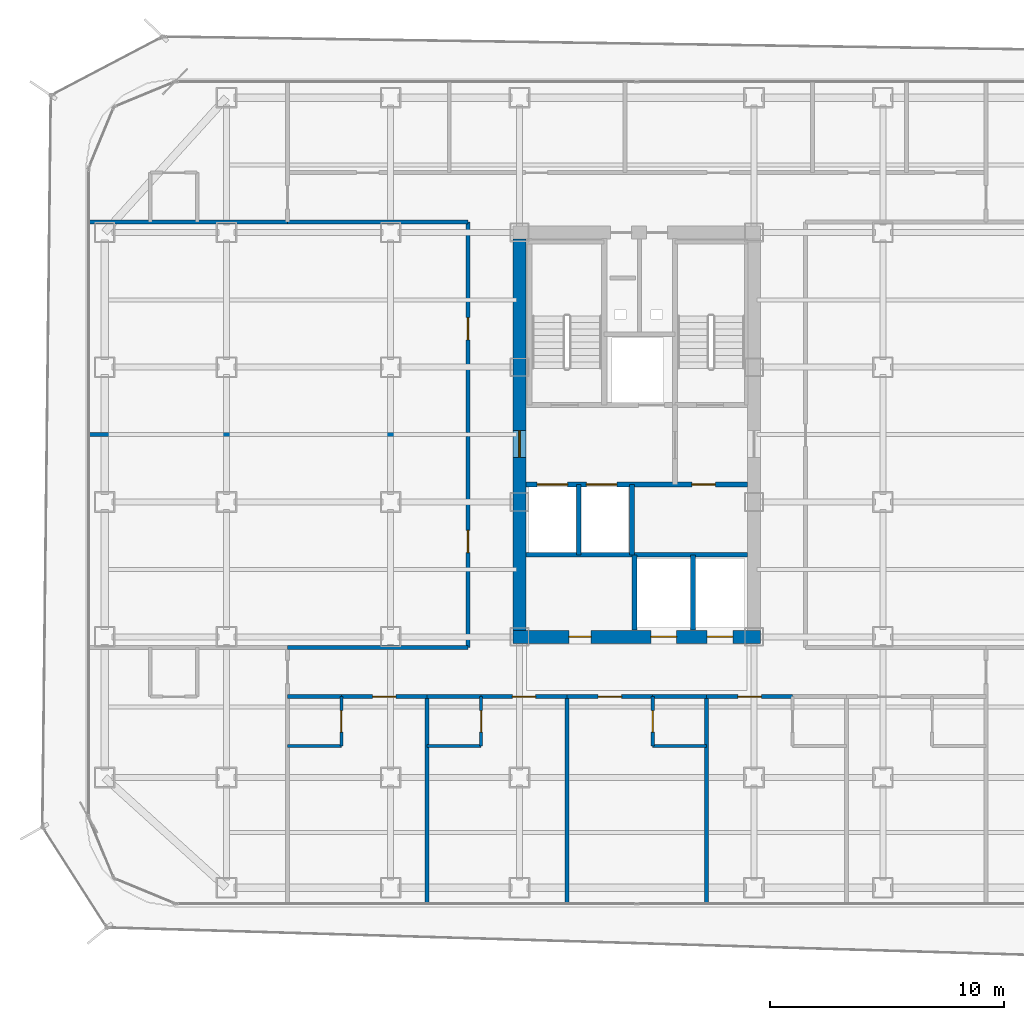
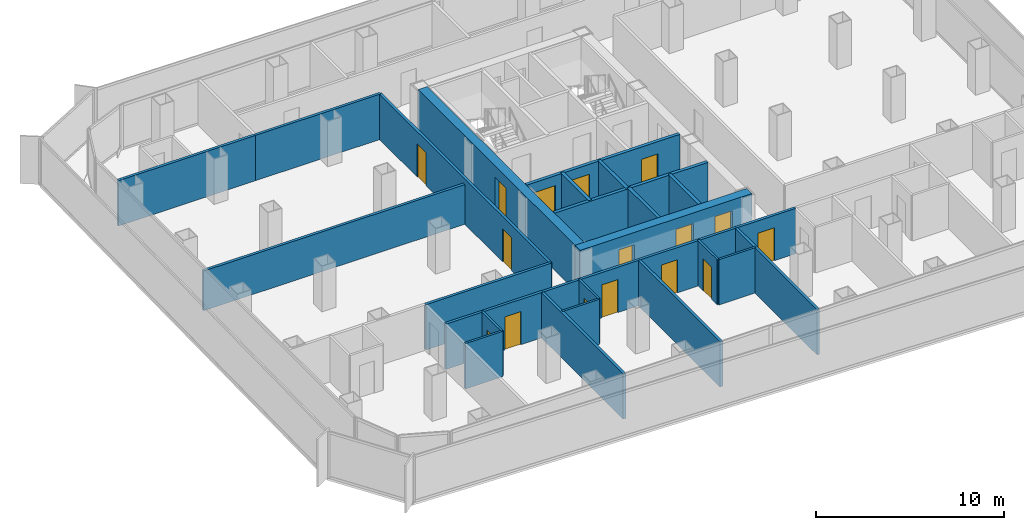
# One storey, part 16 of 21: 29 walls, 16 doors, 16 openings.
"""IFC4 building model written with IfcOpenShell, lengths in metres."""

import ifcopenshell
import ifcopenshell.guid

model = None  # the IFC model being written
_history = None  # IfcOwnerHistory: only IFC2X3 demands one
_inside = {}  # id of a spatial element -> (the spatial element, [elements in it])
_under = {}  # id of a project, library or spatial element -> (it, [spatial elements below it])
_declared = {}  # id of a project -> (the project, [libraries it declares])
_typed = {}  # id of a type object -> (the type object, [elements of that type])
_made_of = {}  # id of a material, layer set ... -> (it, [elements and type objects made of it])


def new_model(schema):
    """Start an empty IFC model of exactly this schema.

    Asked for "IFC4X3", IfcOpenShell would pick the latest addendum, in which some entities
    have other attributes; the version numbers below select the first issue.
    IFC2X3 requires an IfcOwnerHistory on every rooted entity: one is made here for all.
    """
    global model, _history
    if schema == "IFC4X3":
        model = ifcopenshell.file(schema_version=(4, 3, 0, 0))
    else:
        model = ifcopenshell.file(schema=schema)
    _inside.clear()
    _under.clear()
    _declared.clear()
    _typed.clear()
    _made_of.clear()
    _history = None
    if model.schema == "IFC2X3":
        org = make("IfcOrganization", Name="unknown")
        user = make(
            "IfcPersonAndOrganization",
            ThePerson=make("IfcPerson", FamilyName="unknown"),
            TheOrganization=org,
        )
        app = make(
            "IfcApplication",
            ApplicationDeveloper=org,
            Version="unknown",
            ApplicationFullName="unknown",
            ApplicationIdentifier="unknown",
        )
        _history = make(
            "IfcOwnerHistory",
            OwningUser=user,
            OwningApplication=app,
            ChangeAction="ADDED",
            CreationDate=0,
        )
    return model


def make(cls, **values):
    """One entity of the class cls with the attributes given. An attribute that is None is left unset."""
    return model.create_entity(
        cls, **{name: value for name, value in values.items() if value is not None}
    )


def rooted(cls, **values):
    """An entity with a GlobalId (a new one), such as an element, a storey or a relation."""
    return make(cls, GlobalId=ifcopenshell.guid.new(), OwnerHistory=_history, **values)


def si_unit(unit_type, name, prefix=None):
    """IfcSIUnit, for example si_unit("LENGTHUNIT", "METRE", prefix="MILLI")."""
    return make("IfcSIUnit", UnitType=unit_type, Prefix=prefix, Name=name)


def assignment(units):
    """IfcUnitAssignment: the units of a project."""
    return None if units is None else make("IfcUnitAssignment", Units=units)


def point(xyz):
    """IfcCartesianPoint."""
    return None if xyz is None else make("IfcCartesianPoint", Coordinates=xyz)


def direction(xyz):
    """IfcDirection."""
    return None if xyz is None else make("IfcDirection", DirectionRatios=xyz)


def frame(location, z_axis=None, x_axis=None):
    """IfcAxis2Placement3D, a coordinate frame: its origin and axes. An axis left out is left unset."""
    return make(
        "IfcAxis2Placement3D",
        Location=point(location),
        Axis=direction(z_axis),
        RefDirection=direction(x_axis),
    )


def frame_2d(location, x_axis=None):
    """IfcAxis2Placement2D, a coordinate frame in the plane: its origin and x axis."""
    return make(
        "IfcAxis2Placement2D", Location=point(location), RefDirection=direction(x_axis)
    )


def origin():
    """The frame at (0, 0, 0) with its axes left unset."""
    return frame((0.0, 0.0, 0.0))


def place(relative_to, where):
    """IfcLocalPlacement: puts the frame where relative to a parent placement (None: the world)."""
    return make(
        "IfcLocalPlacement", PlacementRelTo=relative_to, RelativePlacement=where
    )


def context(
    kind, dimensions, precision=None, world=None, true_north=None, identifier=None
):
    """IfcGeometricRepresentationContext, for example the 3D "Model" context."""
    return make(
        "IfcGeometricRepresentationContext",
        ContextIdentifier=identifier,
        ContextType=kind,
        CoordinateSpaceDimension=dimensions,
        Precision=precision,
        WorldCoordinateSystem=world,
        TrueNorth=true_north,
    )


def subcontext(parent, identifier, kind, view, scale=None):
    """IfcGeometricRepresentationSubContext, for example "Body" below "Model"."""
    return make(
        "IfcGeometricRepresentationSubContext",
        ContextIdentifier=identifier,
        ContextType=kind,
        ParentContext=parent,
        TargetScale=scale,
        TargetView=view,
    )


def project(units=None, contexts=None):
    """IfcProject with its units and contexts."""
    return rooted(
        "IfcProject",
        Name="project",
        RepresentationContexts=contexts,
        UnitsInContext=assignment(units),
    )


def spatial(cls, under=None, at=None, **own):
    """A site, building, storey or space (cls), placed at a placement, below another one or the project."""
    s = rooted(cls, ObjectPlacement=at, **own)
    if under is not None:
        _under.setdefault(under.id(), (under, []))[1].append(s)
    return s


def profile(cls, at=None, kind="AREA", **sizes):
    """A parametric profile (cls). Its sizes go by their IFC names, for example OverallWidth=200.0."""
    return make(cls, ProfileType=kind, Position=at, **sizes)


def rectangle(**sizes):
    """IfcRectangleProfileDef."""
    return profile("IfcRectangleProfileDef", **sizes)


def extrude(swept, where, along, depth):
    """IfcExtrudedAreaSolid: the profile swept, set in the frame where, extruded along a direction by depth."""
    return make(
        "IfcExtrudedAreaSolid",
        SweptArea=swept,
        Position=where,
        ExtrudedDirection=direction(along),
        Depth=depth,
    )


def shape(context_of_items, identifier, shape_type, items):
    """IfcShapeRepresentation: the items that make up one representation, for example the "Body"."""
    return make(
        "IfcShapeRepresentation",
        ContextOfItems=context_of_items,
        RepresentationIdentifier=identifier,
        RepresentationType=shape_type,
        Items=items,
    )


def material(Name=None, Category=None):
    """IfcMaterial."""
    return make("IfcMaterial", Name=Name, Category=Category)


def layer(
    of_material, thickness, ventilated=None, Name=None, Category=None, Priority=None
):
    """IfcMaterialLayer: one layer of a wall or slab, of a material (None: an air gap)."""
    return make(
        "IfcMaterialLayer",
        Material=of_material,
        LayerThickness=thickness,
        IsVentilated=ventilated,
        Name=Name,
        Category=Category,
        Priority=Priority,
    )


def layer_set(layers, Name=None):
    """IfcMaterialLayerSet."""
    return make("IfcMaterialLayerSet", MaterialLayers=layers, LayerSetName=Name)


def made_of(thing, what):
    """Note that an element or type object is made of a material, layer set ...; save() writes the relation."""
    if what is not None:
        _made_of.setdefault(what.id(), (what, []))[1].append(thing)
    return thing


def type_object(cls, material=None, **own):
    """A type object (cls), such as IfcWallType, which elements share."""
    return made_of(rooted(cls, **own), material)


def element(
    cls,
    number,
    at=None,
    inside=None,
    cuts=None,
    type_object=None,
    material=None,
    context=None,
    identifier="Body",
    shape_type=None,
    held_by="IfcProductDefinitionShape",
    body=None,
    shapes=None,
    **own,
):
    """One element of the class cls, such as IfcWall. Its Tag is "e" and its number.

    at: its placement. inside: the storey or other place that contains it. cuts: it is an
    opening in that element (IfcRelVoidsElement). A single representation is given by context,
    identifier, shape_type and body (its items); several are given by shapes. held_by: the class
    of the entity that holds the representations. save() writes the other relations.
    """
    e = rooted(cls, Tag="e%d" % number, ObjectPlacement=at, **own)
    if body is not None:
        shapes = [shape(context, identifier, shape_type, body)]
    if shapes is not None:
        e.Representation = make(held_by, Representations=shapes)
    if inside is not None:
        _inside.setdefault(inside.id(), (inside, []))[1].append(e)
    if cuts is not None:
        rooted(
            "IfcRelVoidsElement", RelatingBuildingElement=cuts, RelatedOpeningElement=e
        )
    if type_object is not None:
        _typed.setdefault(type_object.id(), (type_object, []))[1].append(e)
    return made_of(e, material)


def fill(opening, filler):
    """IfcRelFillsElement: the door or window that sits in an opening."""
    return rooted(
        "IfcRelFillsElement",
        RelatingOpeningElement=opening,
        RelatedBuildingElement=filler,
    )


def aggregate(whole, parts):
    """IfcRelAggregates: a whole, such as a stair, and the parts it consists of."""
    return rooted("IfcRelAggregates", RelatingObject=whole, RelatedObjects=parts)


def save(model, path):
    """Write the relations noted so far, then the file.

    IfcRelAggregates (storeys below a building ...), IfcRelContainedInSpatialStructure (elements
    in a storey), IfcRelDefinesByType, IfcRelAssociatesMaterial and IfcRelDeclares: one each for
    every whole, place, type object, material and project.
    """
    for whole, parts in _under.values():
        aggregate(whole, parts)
    for where, things in _inside.values():
        rooted(
            "IfcRelContainedInSpatialStructure",
            RelatedElements=things,
            RelatingStructure=where,
        )
    for kind, things in _typed.values():
        rooted("IfcRelDefinesByType", RelatedObjects=things, RelatingType=kind)
    for what, things in _made_of.values():
        rooted("IfcRelAssociatesMaterial", RelatedObjects=things, RelatingMaterial=what)
    for by, libraries in _declared.values():
        rooted("IfcRelDeclares", RelatingContext=by, RelatedDefinitions=libraries)
    model.write(path)


model = new_model("IFC4")

# Units and contexts
model_context = context("Model", 3, precision=1e-05, world=origin(), true_north=direction((0.0, 1.0)))
body_context = subcontext(model_context, "Body", "Model", "MODEL_VIEW")
ifc_project = project(units=[si_unit("LENGTHUNIT", "METRE"), si_unit("AREAUNIT", "SQUARE_METRE"), si_unit("VOLUMEUNIT", "CUBIC_METRE"), si_unit("PLANEANGLEUNIT", "RADIAN"), si_unit("MASSUNIT", "GRAM", prefix="KILO")], contexts=[model_context])

# Site, building, storey
site_placement = place(None, origin())
site = spatial("IfcSite", under=ifc_project, at=site_placement, CompositionType="ELEMENT")
building_placement = place(site_placement, origin())
building = spatial("IfcBuilding", under=site, at=building_placement, Name="Kolveth Station Tower", CompositionType="ELEMENT")
storey_placement = place(building_placement, frame((0.0, 0.0, 115.10009765625)))
storey = spatial("IfcBuildingStorey", under=building, at=storey_placement, Name="L31", CompositionType="ELEMENT", Elevation=115.10009765625)

# Wall, openings, doors
ifc_material_1 = material(Name="Concrete C60/75", Category="concrete")
ifc_layer_1 = layer(ifc_material_1, 0.550048828125)
ifc_layer_set_1 = layer_set([ifc_layer_1], Name="Concrete C60/75")
wall_type_1 = type_object("IfcWallType", Name="Wall_CW-550", PredefinedType="SHEAR", material=ifc_layer_set_1)
wall_1_placement = place(storey_placement, frame((18.22509765625, 11.5, 0.0), z_axis=(0.0, 0.0, 1.0), x_axis=(1.0, 0.0, 0.0)))
wall_1 = element("IfcWall", 1, at=wall_1_placement, inside=storey, type_object=wall_type_1, Name="L31 Core RC Shear Wall S", PredefinedType="SHEAR", context=body_context, shape_type="SweptSolid", body=[
    extrude(rectangle(XDim=10.5498046875, YDim=0.550048828125, at=frame_2d((5.27490234375, 0.0))), origin(), (0.0, 0.0, 1.0), 2.949951171875),
])
opening_1_placement = place(wall_1_placement, frame((2.375, 0.0, 0.0)))
opening_1 = element("IfcOpeningElement", 2, at=opening_1_placement, cuts=wall_1, Name="Opening ID1", PredefinedType="OPENING", context=body_context, shape_type="SweptSolid", body=[
    extrude(rectangle(XDim=0.949951171875, YDim=2.14990234375, at=frame_2d((0.47509765625, 1.074951171875))), frame((0.0, 0.284912109375, 0.0), z_axis=(0.0, -1.0, 0.0), x_axis=(1.0, 0.0, 0.0)), (0.0, 0.0, 1.0), 0.570068359375),
])
opening_2_placement = place(wall_1_placement, frame((5.875, 0.0, 0.0)))
opening_2 = element("IfcOpeningElement", 3, at=opening_2_placement, cuts=wall_1, Name="Opening LD1", PredefinedType="OPENING", context=body_context, shape_type="SweptSolid", body=[
    extrude(rectangle(XDim=1.10009765625, YDim=2.25, at=frame_2d((0.550048828125, 1.125))), frame((0.0, 0.284912109375, 0.0), z_axis=(0.0, -1.0, 0.0), x_axis=(1.0, 0.0, 0.0)), (0.0, 0.0, 1.0), 0.570068359375),
])
opening_3_placement = place(wall_1_placement, frame((8.27490234375, 0.0, 0.0)))
opening_3 = element("IfcOpeningElement", 4, at=opening_3_placement, cuts=wall_1, Name="Opening LD1", PredefinedType="OPENING", context=body_context, shape_type="SweptSolid", body=[
    extrude(rectangle(XDim=1.10009765625, YDim=2.25, at=frame_2d((0.550048828125, 1.125))), frame((0.0, 0.284912109375, 0.0), z_axis=(0.0, -1.0, 0.0), x_axis=(1.0, 0.0, 0.0)), (0.0, 0.0, 1.0), 0.570068359375),
])
ifc_material_2 = material(Name="Acoustic hardwood leaf and aluminium frame", Category="wood")
door_type_1 = type_object("IfcDoorType", Name="Door_ID1", OperationType="NOTDEFINED", PredefinedType="DOOR", material=ifc_material_2)
door_1_placement = place(opening_1_placement, frame((0.949951171875, 0.0, 0.0), z_axis=(0.0, 0.0, 1.0), x_axis=(-1.0, 0.0, 0.0)))
door_1 = element("IfcDoor", 5, at=door_1_placement, inside=storey, type_object=door_type_1, Name="L31 Hotel Pantry Door", OperationType="SINGLE_SWING_LEFT", OverallHeight=2.14990234375, OverallWidth=0.949951171875, PredefinedType="DOOR", context=body_context, shape_type="SweptSolid", body=[
    extrude(rectangle(XDim=0.949951171875, YDim=2.14990234375, at=frame_2d((0.47509765625, 1.074951171875))), frame((0.0, 0.02490234375, 0.0), z_axis=(0.0, -1.0, 0.0), x_axis=(1.0, 0.0, 0.0)), (0.0, 0.0, 1.0), 0.050048828125),
])
fill(opening_1, door_1)
ifc_material_3 = material(Name="Brushed stainless steel sliding landing doors", Category="steel")
door_type_2 = type_object("IfcDoorType", Name="Door_LD1", OperationType="NOTDEFINED", PredefinedType="DOOR", material=ifc_material_3)
door_2_placement = place(opening_2_placement, frame((1.10009765625, 0.0, 0.0), z_axis=(0.0, 0.0, 1.0), x_axis=(-1.0, 0.0, 0.0)))
door_2 = element("IfcDoor", 6, at=door_2_placement, inside=storey, type_object=door_type_2, Name="L31 Lift PM1 Landing Door", OperationType="DOUBLE_DOOR_SLIDING", OverallHeight=2.25, OverallWidth=1.10009765625, PredefinedType="DOOR", context=body_context, shape_type="SweptSolid", body=[
    extrude(rectangle(XDim=1.10009765625, YDim=2.25, at=frame_2d((0.550048828125, 1.125))), frame((0.0, 0.02490234375, 0.0), z_axis=(0.0, -1.0, 0.0), x_axis=(1.0, 0.0, 0.0)), (0.0, 0.0, 1.0), 0.050048828125),
])
fill(opening_2, door_2)
door_3_placement = place(opening_3_placement, frame((1.10009765625, 0.0, 0.0), z_axis=(0.0, 0.0, 1.0), x_axis=(-1.0, 0.0, 0.0)))
door_3 = element("IfcDoor", 7, at=door_3_placement, inside=storey, type_object=door_type_2, Name="L31 Lift PH1 Landing Door", OperationType="DOUBLE_DOOR_SLIDING", OverallHeight=2.25, OverallWidth=1.10009765625, PredefinedType="DOOR", context=body_context, shape_type="SweptSolid", body=[
    extrude(rectangle(XDim=1.10009765625, YDim=2.25, at=frame_2d((0.550048828125, 1.125))), frame((0.0, 0.02490234375, 0.0), z_axis=(0.0, -1.0, 0.0), x_axis=(1.0, 0.0, 0.0)), (0.0, 0.0, 1.0), 0.050048828125),
])
fill(opening_3, door_3)

# Wall, opening, door
wall_2_placement = place(storey_placement, frame((18.5, 11.77490234375, 0.0), z_axis=(0.0, 0.0, 1.0), x_axis=(0.0, 1.0, 0.0)))
wall_2 = element("IfcWall", 8, at=wall_2_placement, inside=storey, type_object=wall_type_1, Name="L31 Core RC Shear Wall W", PredefinedType="SHEAR", context=body_context, shape_type="SweptSolid", body=[
    extrude(rectangle(XDim=16.7001953125, YDim=0.550048828125, at=frame_2d((8.35009765625, 0.0))), origin(), (0.0, 0.0, 1.0), 2.949951171875),
])
opening_4_placement = place(wall_2_placement, frame((7.375, 0.0, 0.0)))
opening_4 = element("IfcOpeningElement", 9, at=opening_4_placement, cuts=wall_2, Name="Opening FD1", PredefinedType="OPENING", context=body_context, shape_type="SweptSolid", body=[
    extrude(rectangle(XDim=1.14990234375, YDim=2.199951171875, at=frame_2d((0.574951171875, 1.10009765625))), frame((0.0, 0.284912109375, 0.0), z_axis=(0.0, -1.0, 0.0), x_axis=(1.0, 0.0, 0.0)), (0.0, 0.0, 1.0), 0.570068359375),
])
ifc_material_4 = material(Name="Fire-rated Steel S355 leaf and frame", Category="steel")
door_type_3 = type_object("IfcDoorType", Name="Door_FD1", OperationType="NOTDEFINED", PredefinedType="DOOR", material=ifc_material_4)
door_4_placement = place(opening_4_placement, frame((1.14990234375, 0.0, 0.0), z_axis=(0.0, 0.0, 1.0), x_axis=(-1.0, 0.0, 0.0)))
door_4 = element("IfcDoor", 10, at=door_4_placement, inside=storey, type_object=door_type_3, Name="L31 West Corridor to Firefighting Lobby Door", OperationType="SINGLE_SWING_RIGHT", OverallHeight=2.199951171875, OverallWidth=1.14990234375, PredefinedType="DOOR", context=body_context, shape_type="SweptSolid", body=[
    extrude(rectangle(XDim=1.14990234375, YDim=2.199951171875, at=frame_2d((0.574951171875, 1.10009765625))), frame((0.0, 0.02490234375, 0.0), z_axis=(0.0, -1.0, 0.0), x_axis=(1.0, 0.0, 0.0)), (0.0, 0.0, 1.0), 0.050048828125),
])
fill(opening_4, door_4)

ifc_material_5 = material(Name="Moisture-resistant gypsum partition")
ifc_layer_2 = layer(ifc_material_5, 0.135009765625)
ifc_layer_set_2 = layer_set([ifc_layer_2], Name="Moisture-resistant gypsum partition")
wall_type_2 = type_object("IfcWallType", Name="Wall_IW-135", PredefinedType="PARTITIONING", material=ifc_layer_set_2)
wall_3_placement = place(storey_placement, frame((10.89990234375, 6.85009765625, 0.0), z_axis=(0.0, 0.0, 1.0), x_axis=(0.0, 1.0, 0.0)))
wall_3 = element("IfcWall", 11, at=wall_3_placement, inside=storey, type_object=wall_type_2, Name="L31 Partition Wall WL-L31-HS1-BV", PredefinedType="PARTITIONING", context=body_context, shape_type="SweptSolid", body=[
    extrude(rectangle(XDim=2.099853515625, YDim=0.135009765625, at=frame_2d((1.0498046875, 0.0))), origin(), (0.0, 0.0, 1.0), 2.949951171875),
])
opening_5_placement = place(wall_3_placement, frame((0.580078125, 0.0, 0.0)))
opening_5 = element("IfcOpeningElement", 12, at=opening_5_placement, cuts=wall_3, Name="Opening ID2", PredefinedType="OPENING", context=body_context, shape_type="SweptSolid", body=[
    extrude(rectangle(XDim=0.919921875, YDim=2.10009765625, at=frame_2d((0.4599609375, 1.050048828125))), frame((0.0, 0.077392578125, 0.0), z_axis=(0.0, -1.0, 0.0), x_axis=(1.0, 0.0, 0.0)), (0.0, 0.0, 1.0), 0.155029296875),
])
ifc_material_6 = material(Name="Moisture-resistant hardwood leaf", Category="wood")
door_type_4 = type_object("IfcDoorType", Name="Door_ID2", OperationType="NOTDEFINED", PredefinedType="DOOR", material=ifc_material_6)
door_5_placement = place(opening_5_placement, frame((0.919921875, 0.0, 0.0), z_axis=(0.0, 0.0, 1.0), x_axis=(-1.0, 0.0, 0.0)))
door_5 = element("IfcDoor", 13, at=door_5_placement, inside=storey, type_object=door_type_4, Name="L31 Hotel Guest Room HS1 En-Suite Door", OperationType="SINGLE_SWING_LEFT", OverallHeight=2.10009765625, OverallWidth=0.919921875, PredefinedType="DOOR", context=body_context, shape_type="SweptSolid", body=[
    extrude(rectangle(XDim=0.919921875, YDim=2.10009765625, at=frame_2d((0.4599609375, 1.050048828125))), frame((0.0, 0.02490234375, 0.0), z_axis=(0.0, -1.0, 0.0), x_axis=(1.0, 0.0, 0.0)), (0.0, 0.0, 1.0), 0.050048828125),
])
fill(opening_5, door_5)

# Wall
wall_4_placement = place(storey_placement, frame((8.60009765625, 6.85009765625, 0.0), z_axis=(0.0, 0.0, 1.0), x_axis=(1.0, 0.0, 0.0)))
element("IfcWall", 14, at=wall_4_placement, inside=storey, type_object=wall_type_2, Name="L31 Partition Wall WL-L31-HS1-BH", PredefinedType="PARTITIONING", context=body_context, shape_type="SweptSolid", body=[
    extrude(rectangle(XDim=2.2998046875, YDim=0.135009765625, at=frame_2d((1.14990234375, 0.0))), origin(), (0.0, 0.0, 1.0), 2.949951171875),
])

# Wall, opening, door
wall_5_placement = place(storey_placement, frame((16.860107421875, 6.85009765625, 0.0), z_axis=(0.0, 0.0, 1.0), x_axis=(0.0, 1.0, 0.0)))
wall_5 = element("IfcWall", 15, at=wall_5_placement, inside=storey, type_object=wall_type_2, Name="L31 Partition Wall WL-L31-HS2-BV", PredefinedType="PARTITIONING", context=body_context, shape_type="SweptSolid", body=[
    extrude(rectangle(XDim=2.099853515625, YDim=0.135009765625, at=frame_2d((1.0498046875, 0.0))), origin(), (0.0, 0.0, 1.0), 2.949951171875),
])
opening_6_placement = place(wall_5_placement, frame((0.580078125, 0.0, 0.0)))
opening_6 = element("IfcOpeningElement", 16, at=opening_6_placement, cuts=wall_5, Name="Opening ID2", PredefinedType="OPENING", context=body_context, shape_type="SweptSolid", body=[
    extrude(rectangle(XDim=0.919921875, YDim=2.10009765625, at=frame_2d((0.4599609375, 1.050048828125))), frame((0.0, 0.077392578125, 0.0), z_axis=(0.0, -1.0, 0.0), x_axis=(1.0, 0.0, 0.0)), (0.0, 0.0, 1.0), 0.155029296875),
])
door_6_placement = place(opening_6_placement, frame((0.919921875, 0.0, 0.0), z_axis=(0.0, 0.0, 1.0), x_axis=(-1.0, 0.0, 0.0)))
door_6 = element("IfcDoor", 17, at=door_6_placement, inside=storey, type_object=door_type_4, Name="L31 Hotel Guest Room HS2 En-Suite Door", OperationType="SINGLE_SWING_LEFT", OverallHeight=2.10009765625, OverallWidth=0.919921875, PredefinedType="DOOR", context=body_context, shape_type="SweptSolid", body=[
    extrude(rectangle(XDim=0.919921875, YDim=2.10009765625, at=frame_2d((0.4599609375, 1.050048828125))), frame((0.0, 0.02490234375, 0.0), z_axis=(0.0, -1.0, 0.0), x_axis=(1.0, 0.0, 0.0)), (0.0, 0.0, 1.0), 0.050048828125),
])
fill(opening_6, door_6)

# Wall
wall_6_placement = place(storey_placement, frame((14.56005859375, 6.85009765625, 0.0), z_axis=(0.0, 0.0, 1.0), x_axis=(1.0, 0.0, 0.0)))
element("IfcWall", 18, at=wall_6_placement, inside=storey, type_object=wall_type_2, Name="L31 Partition Wall WL-L31-HS2-BH", PredefinedType="PARTITIONING", context=body_context, shape_type="SweptSolid", body=[
    extrude(rectangle(XDim=2.300048828125, YDim=0.135009765625, at=frame_2d((1.14990234375, 0.0))), origin(), (0.0, 0.0, 1.0), 2.949951171875),
])

# Wall, opening, door
wall_7_placement = place(storey_placement, frame((24.179931640625, 6.85009765625, 0.0), z_axis=(0.0, 0.0, 1.0), x_axis=(0.0, 1.0, 0.0)))
wall_7 = element("IfcWall", 19, at=wall_7_placement, inside=storey, type_object=wall_type_2, Name="L31 Partition Wall WL-L31-HS3-BV", PredefinedType="PARTITIONING", context=body_context, shape_type="SweptSolid", body=[
    extrude(rectangle(XDim=2.099853515625, YDim=0.135009765625, at=frame_2d((1.0498046875, 0.0))), origin(), (0.0, 0.0, 1.0), 2.949951171875),
])
opening_7_placement = place(wall_7_placement, frame((0.580078125, 0.0, 0.0)))
opening_7 = element("IfcOpeningElement", 20, at=opening_7_placement, cuts=wall_7, Name="Opening ID2", PredefinedType="OPENING", context=body_context, shape_type="SweptSolid", body=[
    extrude(rectangle(XDim=0.919921875, YDim=2.10009765625, at=frame_2d((0.4599609375, 1.050048828125))), frame((0.0, 0.077392578125, 0.0), z_axis=(0.0, -1.0, 0.0), x_axis=(1.0, 0.0, 0.0)), (0.0, 0.0, 1.0), 0.155029296875),
])
door_7_placement = place(opening_7_placement, origin())
door_7 = element("IfcDoor", 21, at=door_7_placement, inside=storey, type_object=door_type_4, Name="L31 Hotel Guest Room HS3 En-Suite Door", OperationType="SINGLE_SWING_LEFT", OverallHeight=2.10009765625, OverallWidth=0.919921875, PredefinedType="DOOR", context=body_context, shape_type="SweptSolid", body=[
    extrude(rectangle(XDim=0.919921875, YDim=2.10009765625, at=frame_2d((0.4599609375, 1.050048828125))), frame((0.0, 0.02490234375, 0.0), z_axis=(0.0, -1.0, 0.0), x_axis=(1.0, 0.0, 0.0)), (0.0, 0.0, 1.0), 0.050048828125),
])
fill(opening_7, door_7)

# Walls
wall_8_placement = place(storey_placement, frame((24.179931640625, 6.85009765625, 0.0), z_axis=(0.0, 0.0, 1.0), x_axis=(1.0, 0.0, 0.0)))
element("IfcWall", 22, at=wall_8_placement, inside=storey, type_object=wall_type_2, Name="L31 Partition Wall WL-L31-HS3-BH", PredefinedType="PARTITIONING", context=body_context, shape_type="SweptSolid", body=[
    extrude(rectangle(XDim=2.300048828125, YDim=0.135009765625, at=frame_2d((1.14990234375, 0.0))), origin(), (0.0, 0.0, 1.0), 2.949951171875),
])
ifc_material_7 = material(Name="Acoustic double-stud gypsum partition")
ifc_layer_3 = layer(ifc_material_7, 0.1650390625)
ifc_layer_set_3 = layer_set([ifc_layer_3], Name="Acoustic double-stud gypsum partition")
wall_type_3 = type_object("IfcWallType", Name="Wall_IW-165", PredefinedType="PARTITIONING", material=ifc_layer_set_3)
for number, where, z_axis, x_axis, name in (
    (23, (8.60009765625, 11.050048828125, 0.0), (0.0, 0.0, 1.0), (1.0, 0.0, 0.0), "L31 Partition Wall WL-L31-HSWT"),
    (24, (8.60009765625, 29.199951171875, 0.0), (0.0, 0.0, 1.0), (1.0, 0.0, 0.0), "L31 Partition Wall WL-L31-HNWB"),
):
    element("IfcWall", number, at=place(storey_placement, frame(where, z_axis=z_axis, x_axis=x_axis)), inside=storey, type_object=wall_type_3, Name=name, PredefinedType="PARTITIONING", context=body_context, shape_type="SweptSolid", body=[
        extrude(rectangle(XDim=7.699951171875, YDim=0.1650390625, at=frame_2d((3.85009765625, 0.0))), origin(), (0.0, 0.0, 1.0), 2.949951171875),
    ])

# Wall, openings, doors
wall_9_placement = place(storey_placement, frame((16.300048828125, 11.050048828125, 0.0), z_axis=(0.0, 0.0, 1.0), x_axis=(0.0, 1.0, 0.0)))
wall_9 = element("IfcWall", 25, at=wall_9_placement, inside=storey, type_object=wall_type_3, Name="L31 Partition Wall WL-L31-HW", PredefinedType="PARTITIONING", context=body_context, shape_type="SweptSolid", body=[
    extrude(rectangle(XDim=18.14990234375, YDim=0.1650390625, at=frame_2d((9.074951171875, 0.0))), origin(), (0.0, 0.0, 1.0), 2.949951171875),
])
opening_8_placement = place(wall_9_placement, frame((4.037109375, 0.0, 0.0)))
opening_8 = element("IfcOpeningElement", 26, at=opening_8_placement, cuts=wall_9, Name="Opening ID1", PredefinedType="OPENING", context=body_context, shape_type="SweptSolid", body=[
    extrude(rectangle(XDim=0.949951171875, YDim=2.14990234375, at=frame_2d((0.47509765625, 1.074951171875))), frame((0.0, 0.092529296875, 0.0), z_axis=(0.0, -1.0, 0.0), x_axis=(1.0, 0.0, 0.0)), (0.0, 0.0, 1.0), 0.18505859375),
])
opening_9_placement = place(wall_9_placement, frame((13.113037109375, 0.0, 0.0)))
opening_9 = element("IfcOpeningElement", 27, at=opening_9_placement, cuts=wall_9, Name="Opening ID1", PredefinedType="OPENING", context=body_context, shape_type="SweptSolid", body=[
    extrude(rectangle(XDim=0.949951171875, YDim=2.14990234375, at=frame_2d((0.47509765625, 1.074951171875))), frame((0.0, 0.092529296875, 0.0), z_axis=(0.0, -1.0, 0.0), x_axis=(1.0, 0.0, 0.0)), (0.0, 0.0, 1.0), 0.18505859375),
])
door_8_placement = place(opening_8_placement, frame((0.949951171875, 0.0, 0.0), z_axis=(0.0, 0.0, 1.0), x_axis=(-1.0, 0.0, 0.0)))
door_8 = element("IfcDoor", 28, at=door_8_placement, inside=storey, type_object=door_type_1, Name="L31 Meeting Salon West 1 Door", OperationType="SINGLE_SWING_RIGHT", OverallHeight=2.14990234375, OverallWidth=0.949951171875, PredefinedType="DOOR", context=body_context, shape_type="SweptSolid", body=[
    extrude(rectangle(XDim=0.949951171875, YDim=2.14990234375, at=frame_2d((0.47509765625, 1.074951171875))), frame((0.0, 0.02490234375, 0.0), z_axis=(0.0, -1.0, 0.0), x_axis=(1.0, 0.0, 0.0)), (0.0, 0.0, 1.0), 0.050048828125),
])
fill(opening_8, door_8)
door_9_placement = place(opening_9_placement, frame((0.949951171875, 0.0, 0.0), z_axis=(0.0, 0.0, 1.0), x_axis=(-1.0, 0.0, 0.0)))
door_9 = element("IfcDoor", 29, at=door_9_placement, inside=storey, type_object=door_type_1, Name="L31 Meeting Salon West 2 Door", OperationType="SINGLE_SWING_LEFT", OverallHeight=2.14990234375, OverallWidth=0.949951171875, PredefinedType="DOOR", context=body_context, shape_type="SweptSolid", body=[
    extrude(rectangle(XDim=0.949951171875, YDim=2.14990234375, at=frame_2d((0.47509765625, 1.074951171875))), frame((0.0, 0.02490234375, 0.0), z_axis=(0.0, -1.0, 0.0), x_axis=(1.0, 0.0, 0.0)), (0.0, 0.0, 1.0), 0.050048828125),
])
fill(opening_9, door_9)

# Walls
wall_10_placement = place(storey_placement, frame((0.159912109375, 29.199951171875, 0.0), z_axis=(0.0, 0.0, 1.0), x_axis=(1.0, 0.0, 0.0)))
element("IfcWall", 30, at=wall_10_placement, inside=storey, type_object=wall_type_3, Name="L31 Partition Wall WL-L31-WM2", PredefinedType="PARTITIONING", context=body_context, shape_type="SweptSolid", body=[
    extrude(rectangle(XDim=8.440185546875, YDim=0.1650390625, at=frame_2d((4.22021484375, 0.0))), origin(), (0.0, 0.0, 1.0), 2.949951171875),
])
wall_11_placement = place(storey_placement, frame((8.60009765625, 8.949951171875, 0.0), z_axis=(0.0, 0.0, 1.0), x_axis=(1.0, 0.0, 0.0)))
element("IfcWall", 31, at=wall_11_placement, inside=storey, type_object=wall_type_3, Name="L31 Partition Wall WL-L31-HS1-BCOR", PredefinedType="PARTITIONING", context=body_context, shape_type="SweptSolid", body=[
    extrude(rectangle(XDim=2.2998046875, YDim=0.1650390625, at=frame_2d((1.14990234375, 0.0))), origin(), (0.0, 0.0, 1.0), 2.949951171875),
])

# Wall, opening, door
wall_12_placement = place(storey_placement, frame((10.89990234375, 8.949951171875, 0.0), z_axis=(0.0, 0.0, 1.0), x_axis=(1.0, 0.0, 0.0)))
wall_12 = element("IfcWall", 32, at=wall_12_placement, inside=storey, type_object=wall_type_3, Name="L31 Partition Wall WL-L31-HS1-RCOR", PredefinedType="PARTITIONING", context=body_context, shape_type="SweptSolid", body=[
    extrude(rectangle(XDim=3.66015625, YDim=0.1650390625, at=frame_2d((1.830078125, 0.0))), origin(), (0.0, 0.0, 1.0), 2.949951171875),
])
opening_10_placement = place(wall_12_placement, frame((1.330078125, 0.0, 0.0)))
opening_10 = element("IfcOpeningElement", 33, at=opening_10_placement, cuts=wall_12, Name="Opening FD3", PredefinedType="OPENING", context=body_context, shape_type="SweptSolid", body=[
    extrude(rectangle(XDim=1.0, YDim=2.14990234375, at=frame_2d((0.5, 1.074951171875))), frame((0.0, 0.092529296875, 0.0), z_axis=(0.0, -1.0, 0.0), x_axis=(1.0, 0.0, 0.0)), (0.0, 0.0, 1.0), 0.18505859375),
])
ifc_material_8 = material(Name="Fire-rated hardwood leaf and aluminium frame", Category="wood")
door_type_5 = type_object("IfcDoorType", Name="Door_FD3", OperationType="NOTDEFINED", PredefinedType="DOOR", material=ifc_material_8)
door_10_placement = place(opening_10_placement, frame((1.0, 0.0, 0.0), z_axis=(0.0, 0.0, 1.0), x_axis=(-1.0, 0.0, 0.0)))
door_10 = element("IfcDoor", 34, at=door_10_placement, inside=storey, type_object=door_type_5, Name="L31 Hotel Guest Room HS1 Entrance Door", OperationType="SINGLE_SWING_LEFT", OverallHeight=2.14990234375, OverallWidth=1.0, PredefinedType="DOOR", context=body_context, shape_type="SweptSolid", body=[
    extrude(rectangle(XDim=1.0, YDim=2.14990234375, at=frame_2d((0.5, 1.074951171875))), frame((0.0, 0.02490234375, 0.0), z_axis=(0.0, -1.0, 0.0), x_axis=(1.0, 0.0, 0.0)), (0.0, 0.0, 1.0), 0.050048828125),
])
fill(opening_10, door_10)

# Walls
wall_13_placement = place(storey_placement, frame((14.56005859375, 0.159912109375, 0.0), z_axis=(0.0, 0.0, 1.0), x_axis=(0.0, 1.0, 0.0)))
element("IfcWall", 35, at=wall_13_placement, inside=storey, type_object=wall_type_3, Name="L31 Partition Wall WL-L31-HSK-1", PredefinedType="PARTITIONING", context=body_context, shape_type="SweptSolid", body=[
    extrude(rectangle(XDim=8.7900390625, YDim=0.1650390625, at=frame_2d((4.39501953125, 0.0))), origin(), (0.0, 0.0, 1.0), 2.949951171875),
])
wall_14_placement = place(storey_placement, frame((14.56005859375, 8.949951171875, 0.0), z_axis=(0.0, 0.0, 1.0), x_axis=(1.0, 0.0, 0.0)))
element("IfcWall", 36, at=wall_14_placement, inside=storey, type_object=wall_type_3, Name="L31 Partition Wall WL-L31-HS2-BCOR", PredefinedType="PARTITIONING", context=body_context, shape_type="SweptSolid", body=[
    extrude(rectangle(XDim=2.300048828125, YDim=0.1650390625, at=frame_2d((1.14990234375, 0.0))), origin(), (0.0, 0.0, 1.0), 2.949951171875),
])

# Wall, opening, door
wall_15_placement = place(storey_placement, frame((16.860107421875, 8.949951171875, 0.0), z_axis=(0.0, 0.0, 1.0), x_axis=(1.0, 0.0, 0.0)))
wall_15 = element("IfcWall", 37, at=wall_15_placement, inside=storey, type_object=wall_type_3, Name="L31 Partition Wall WL-L31-HS2-RCOR", PredefinedType="PARTITIONING", context=body_context, shape_type="SweptSolid", body=[
    extrude(rectangle(XDim=3.659912109375, YDim=0.1650390625, at=frame_2d((1.830078125, 0.0))), origin(), (0.0, 0.0, 1.0), 2.949951171875),
])
opening_11_placement = place(wall_15_placement, frame((1.330078125, 0.0, 0.0)))
opening_11 = element("IfcOpeningElement", 38, at=opening_11_placement, cuts=wall_15, Name="Opening FD3", PredefinedType="OPENING", context=body_context, shape_type="SweptSolid", body=[
    extrude(rectangle(XDim=1.0, YDim=2.14990234375, at=frame_2d((0.5, 1.074951171875))), frame((0.0, 0.092529296875, 0.0), z_axis=(0.0, -1.0, 0.0), x_axis=(1.0, 0.0, 0.0)), (0.0, 0.0, 1.0), 0.18505859375),
])
door_11_placement = place(opening_11_placement, frame((1.0, 0.0, 0.0), z_axis=(0.0, 0.0, 1.0), x_axis=(-1.0, 0.0, 0.0)))
door_11 = element("IfcDoor", 39, at=door_11_placement, inside=storey, type_object=door_type_5, Name="L31 Hotel Guest Room HS2 Entrance Door", OperationType="SINGLE_SWING_RIGHT", OverallHeight=2.14990234375, OverallWidth=1.0, PredefinedType="DOOR", context=body_context, shape_type="SweptSolid", body=[
    extrude(rectangle(XDim=1.0, YDim=2.14990234375, at=frame_2d((0.5, 1.074951171875))), frame((0.0, 0.02490234375, 0.0), z_axis=(0.0, -1.0, 0.0), x_axis=(1.0, 0.0, 0.0)), (0.0, 0.0, 1.0), 0.050048828125),
])
fill(opening_11, door_11)

# Walls
wall_16_placement = place(storey_placement, frame((20.52001953125, 0.159912109375, 0.0), z_axis=(0.0, 0.0, 1.0), x_axis=(0.0, 1.0, 0.0)))
element("IfcWall", 40, at=wall_16_placement, inside=storey, type_object=wall_type_3, Name="L31 Partition Wall WL-L31-HSK-2", PredefinedType="PARTITIONING", context=body_context, shape_type="SweptSolid", body=[
    extrude(rectangle(XDim=8.7900390625, YDim=0.1650390625, at=frame_2d((4.39501953125, 0.0))), origin(), (0.0, 0.0, 1.0), 2.949951171875),
])
wall_17_placement = place(storey_placement, frame((24.179931640625, 8.949951171875, 0.0), z_axis=(0.0, 0.0, 1.0), x_axis=(1.0, 0.0, 0.0)))
element("IfcWall", 41, at=wall_17_placement, inside=storey, type_object=wall_type_3, Name="L31 Partition Wall WL-L31-HS3-BCOR", PredefinedType="PARTITIONING", context=body_context, shape_type="SweptSolid", body=[
    extrude(rectangle(XDim=2.300048828125, YDim=0.1650390625, at=frame_2d((1.14990234375, 0.0))), origin(), (0.0, 0.0, 1.0), 2.949951171875),
])

# Wall, opening, door
wall_18_placement = place(storey_placement, frame((20.52001953125, 8.949951171875, 0.0), z_axis=(0.0, 0.0, 1.0), x_axis=(1.0, 0.0, 0.0)))
wall_18 = element("IfcWall", 42, at=wall_18_placement, inside=storey, type_object=wall_type_3, Name="L31 Partition Wall WL-L31-HS3-RCOR", PredefinedType="PARTITIONING", context=body_context, shape_type="SweptSolid", body=[
    extrude(rectangle(XDim=3.659912109375, YDim=0.1650390625, at=frame_2d((1.830078125, 0.0))), origin(), (0.0, 0.0, 1.0), 2.949951171875),
])
opening_12_placement = place(wall_18_placement, frame((1.330078125, 0.0, 0.0)))
opening_12 = element("IfcOpeningElement", 43, at=opening_12_placement, cuts=wall_18, Name="Opening FD3", PredefinedType="OPENING", context=body_context, shape_type="SweptSolid", body=[
    extrude(rectangle(XDim=1.0, YDim=2.14990234375, at=frame_2d((0.5, 1.074951171875))), frame((0.0, 0.092529296875, 0.0), z_axis=(0.0, -1.0, 0.0), x_axis=(1.0, 0.0, 0.0)), (0.0, 0.0, 1.0), 0.18505859375),
])
door_12_placement = place(opening_12_placement, frame((1.0, 0.0, 0.0), z_axis=(0.0, 0.0, 1.0), x_axis=(-1.0, 0.0, 0.0)))
door_12 = element("IfcDoor", 44, at=door_12_placement, inside=storey, type_object=door_type_5, Name="L31 Hotel Guest Room HS3 Entrance Door", OperationType="SINGLE_SWING_RIGHT", OverallHeight=2.14990234375, OverallWidth=1.0, PredefinedType="DOOR", context=body_context, shape_type="SweptSolid", body=[
    extrude(rectangle(XDim=1.0, YDim=2.14990234375, at=frame_2d((0.5, 1.074951171875))), frame((0.0, 0.02490234375, 0.0), z_axis=(0.0, -1.0, 0.0), x_axis=(1.0, 0.0, 0.0)), (0.0, 0.0, 1.0), 0.050048828125),
])
fill(opening_12, door_12)

# Wall
wall_19_placement = place(storey_placement, frame((26.47998046875, 0.159912109375, 0.0), z_axis=(0.0, 0.0, 1.0), x_axis=(0.0, 1.0, 0.0)))
element("IfcWall", 45, at=wall_19_placement, inside=storey, type_object=wall_type_3, Name="L31 Partition Wall WL-L31-HSK-3", PredefinedType="PARTITIONING", context=body_context, shape_type="SweptSolid", body=[
    extrude(rectangle(XDim=8.7900390625, YDim=0.1650390625, at=frame_2d((4.39501953125, 0.0))), origin(), (0.0, 0.0, 1.0), 2.949951171875),
])

# Wall, opening, door
wall_20_placement = place(storey_placement, frame((26.47998046875, 8.949951171875, 0.0), z_axis=(0.0, 0.0, 1.0), x_axis=(1.0, 0.0, 0.0)))
wall_20 = element("IfcWall", 46, at=wall_20_placement, inside=storey, type_object=wall_type_3, Name="L31 Partition Wall WL-L31-HS4-RCOR", PredefinedType="PARTITIONING", context=body_context, shape_type="SweptSolid", body=[
    extrude(rectangle(XDim=3.659912109375, YDim=0.1650390625, at=frame_2d((1.830078125, 0.0))), origin(), (0.0, 0.0, 1.0), 2.949951171875),
])
opening_13_placement = place(wall_20_placement, frame((1.330078125, 0.0, 0.0)))
opening_13 = element("IfcOpeningElement", 47, at=opening_13_placement, cuts=wall_20, Name="Opening FD3", PredefinedType="OPENING", context=body_context, shape_type="SweptSolid", body=[
    extrude(rectangle(XDim=1.0, YDim=2.14990234375, at=frame_2d((0.5, 1.074951171875))), frame((0.0, 0.092529296875, 0.0), z_axis=(0.0, -1.0, 0.0), x_axis=(1.0, 0.0, 0.0)), (0.0, 0.0, 1.0), 0.18505859375),
])
door_13_placement = place(opening_13_placement, frame((1.0, 0.0, 0.0), z_axis=(0.0, 0.0, 1.0), x_axis=(-1.0, 0.0, 0.0)))
door_13 = element("IfcDoor", 48, at=door_13_placement, inside=storey, type_object=door_type_5, Name="L31 Hotel Guest Room HS4 Entrance Door", OperationType="SINGLE_SWING_RIGHT", OverallHeight=2.14990234375, OverallWidth=1.0, PredefinedType="DOOR", context=body_context, shape_type="SweptSolid", body=[
    extrude(rectangle(XDim=1.0, YDim=2.14990234375, at=frame_2d((0.5, 1.074951171875))), frame((0.0, 0.02490234375, 0.0), z_axis=(0.0, -1.0, 0.0), x_axis=(1.0, 0.0, 0.0)), (0.0, 0.0, 1.0), 0.050048828125),
])
fill(opening_13, door_13)

# Wall
wall_21_placement = place(storey_placement, frame((0.159912109375, 20.125, 0.0), z_axis=(0.0, 0.0, 1.0), x_axis=(1.0, 0.0, 0.0)))
element("IfcWall", 49, at=wall_21_placement, inside=storey, type_object=wall_type_3, Name="L31 Partition Wall WL-L31-HMW-P1", PredefinedType="PARTITIONING", context=body_context, shape_type="SweptSolid", body=[
    extrude(rectangle(XDim=16.14013671875, YDim=0.1650390625, at=frame_2d((8.070068359375, 0.0))), origin(), (0.0, 0.0, 1.0), 2.5830078125),
])

# Wall, openings, doors
ifc_material_9 = material(Name="Acoustic fire-rated gypsum blockwork", Category="masonry")
ifc_layer_4 = layer(ifc_material_9, 0.199951171875)
ifc_layer_set_4 = layer_set([ifc_layer_4], Name="Acoustic fire-rated gypsum blockwork")
wall_type_4 = type_object("IfcWallType", Name="Wall_IW-200", PredefinedType="PARTITIONING", material=ifc_layer_set_4)
wall_22_placement = place(storey_placement, frame((18.784912109375, 18.0, 0.0), z_axis=(0.0, 0.0, 1.0), x_axis=(1.0, 0.0, 0.0)))
wall_22 = element("IfcWall", 50, at=wall_22_placement, inside=storey, type_object=wall_type_4, Name="L31 Partition Wall WL-L31-FFL-S", PredefinedType="PARTITIONING", context=body_context, shape_type="SweptSolid", body=[
    extrude(rectangle(XDim=9.43017578125, YDim=0.199951171875, at=frame_2d((4.715087890625, 0.0))), origin(), (0.0, 0.0, 1.0), 2.949951171875),
])
opening_14_placement = place(wall_22_placement, frame((0.465087890625, 0.0, 0.0)))
opening_14 = element("IfcOpeningElement", 51, at=opening_14_placement, cuts=wall_22, Name="Opening LD2", PredefinedType="OPENING", context=body_context, shape_type="SweptSolid", body=[
    extrude(rectangle(XDim=1.300048828125, YDim=2.300048828125, at=frame_2d((0.64990234375, 1.14990234375))), frame((0.0, 0.10986328125, 0.0), z_axis=(0.0, -1.0, 0.0), x_axis=(1.0, 0.0, 0.0)), (0.0, 0.0, 1.0), 0.219970703125),
])
opening_15_placement = place(wall_22_placement, frame((2.56494140625, 0.0, 0.0)))
opening_15 = element("IfcOpeningElement", 52, at=opening_15_placement, cuts=wall_22, Name="Opening LD2", PredefinedType="OPENING", context=body_context, shape_type="SweptSolid", body=[
    extrude(rectangle(XDim=1.300048828125, YDim=2.300048828125, at=frame_2d((0.64990234375, 1.14990234375))), frame((0.0, 0.10986328125, 0.0), z_axis=(0.0, -1.0, 0.0), x_axis=(1.0, 0.0, 0.0)), (0.0, 0.0, 1.0), 0.219970703125),
])
opening_16_placement = place(wall_22_placement, frame((7.06494140625, 0.0, 0.0)))
opening_16 = element("IfcOpeningElement", 53, at=opening_16_placement, cuts=wall_22, Name="Opening FD3", PredefinedType="OPENING", context=body_context, shape_type="SweptSolid", body=[
    extrude(rectangle(XDim=1.0, YDim=2.14990234375, at=frame_2d((0.5, 1.074951171875))), frame((0.0, 0.10986328125, 0.0), z_axis=(0.0, -1.0, 0.0), x_axis=(1.0, 0.0, 0.0)), (0.0, 0.0, 1.0), 0.219970703125),
])
door_14_placement = place(opening_16_placement, frame((1.0, 0.0, 0.0), z_axis=(0.0, 0.0, 1.0), x_axis=(-1.0, 0.0, 0.0)))
door_14 = element("IfcDoor", 54, at=door_14_placement, inside=storey, type_object=door_type_5, Name="L31 Housekeeping and Linen Room Door", OperationType="SINGLE_SWING_LEFT", OverallHeight=2.14990234375, OverallWidth=1.0, PredefinedType="DOOR", context=body_context, shape_type="SweptSolid", body=[
    extrude(rectangle(XDim=1.0, YDim=2.14990234375, at=frame_2d((0.5, 1.074951171875))), frame((0.0, 0.02490234375, 0.0), z_axis=(0.0, -1.0, 0.0), x_axis=(1.0, 0.0, 0.0)), (0.0, 0.0, 1.0), 0.050048828125),
])
fill(opening_16, door_14)
ifc_material_10 = material(Name="Firefighting stainless steel sliding landing doors", Category="steel")
door_type_6 = type_object("IfcDoorType", Name="Door_LD2", OperationType="NOTDEFINED", PredefinedType="DOOR", material=ifc_material_10)
door_15_placement = place(opening_14_placement, origin())
door_15 = element("IfcDoor", 55, at=door_15_placement, inside=storey, type_object=door_type_6, Name="L31 Firefighting Lift FF1 Landing Door", OperationType="DOUBLE_DOOR_SLIDING", OverallHeight=2.300048828125, OverallWidth=1.300048828125, PredefinedType="DOOR", context=body_context, shape_type="SweptSolid", body=[
    extrude(rectangle(XDim=1.300048828125, YDim=2.300048828125, at=frame_2d((0.64990234375, 1.14990234375))), frame((0.0, 0.02490234375, 0.0), z_axis=(0.0, -1.0, 0.0), x_axis=(1.0, 0.0, 0.0)), (0.0, 0.0, 1.0), 0.050048828125),
])
fill(opening_14, door_15)
door_16_placement = place(opening_15_placement, origin())
door_16 = element("IfcDoor", 56, at=door_16_placement, inside=storey, type_object=door_type_6, Name="L31 Firefighting Lift FF2 Landing Door", OperationType="DOUBLE_DOOR_SLIDING", OverallHeight=2.300048828125, OverallWidth=1.300048828125, PredefinedType="DOOR", context=body_context, shape_type="SweptSolid", body=[
    extrude(rectangle(XDim=1.300048828125, YDim=2.300048828125, at=frame_2d((0.64990234375, 1.14990234375))), frame((0.0, 0.02490234375, 0.0), z_axis=(0.0, -1.0, 0.0), x_axis=(1.0, 0.0, 0.0)), (0.0, 0.0, 1.0), 0.050048828125),
])
fill(opening_15, door_16)

# Walls
for number, where, z_axis, x_axis, name in (
    (57, (21.02001953125, 15.0, 0.0), (0.0, 0.0, 1.0), (0.0, 1.0, 0.0), "L31 Partition Wall WL-L31-FF12"),
    (58, (23.300048828125, 15.0, 0.0), (0.0, 0.0, 1.0), (0.0, 1.0, 0.0), "L31 Partition Wall WL-L31-FF2E"),
):
    element("IfcWall", number, at=place(storey_placement, frame(where, z_axis=z_axis, x_axis=x_axis)), inside=storey, type_object=wall_type_4, Name=name, PredefinedType="PARTITIONING", context=body_context, shape_type="SweptSolid", body=[
        extrude(rectangle(XDim=3.0, YDim=0.199951171875, at=frame_2d((1.5, 0.0))), origin(), (0.0, 0.0, 1.0), 2.949951171875),
    ])
wall_23_placement = place(storey_placement, frame((18.784912109375, 15.0, 0.0), z_axis=(0.0, 0.0, 1.0), x_axis=(1.0, 0.0, 0.0)))
element("IfcWall", 59, at=wall_23_placement, inside=storey, type_object=wall_type_4, Name="L31 Partition Wall WL-L31-BOH-S", PredefinedType="PARTITIONING", context=body_context, shape_type="SweptSolid", body=[
    extrude(rectangle(XDim=9.43017578125, YDim=0.199951171875, at=frame_2d((4.715087890625, 0.0))), origin(), (0.0, 0.0, 1.0), 2.949951171875),
])
for number, where, z_axis, x_axis, name in (
    (60, (23.39990234375, 11.784912109375, 0.0), (0.0, 0.0, 1.0), (0.0, 1.0, 0.0), "L31 Partition Wall WL-L31-PL2E"),
    (61, (25.89990234375, 11.784912109375, 0.0), (0.0, 0.0, 1.0), (0.0, 1.0, 0.0), "L31 Partition Wall WL-L31-PMPH"),
):
    element("IfcWall", number, at=place(storey_placement, frame(where, z_axis=z_axis, x_axis=x_axis)), inside=storey, type_object=wall_type_4, Name=name, PredefinedType="PARTITIONING", context=body_context, shape_type="SweptSolid", body=[
        extrude(rectangle(XDim=3.215087890625, YDim=0.199951171875, at=frame_2d((1.607421875, 0.0))), origin(), (0.0, 0.0, 1.0), 2.949951171875),
    ])

save(model, "model.ifc")
